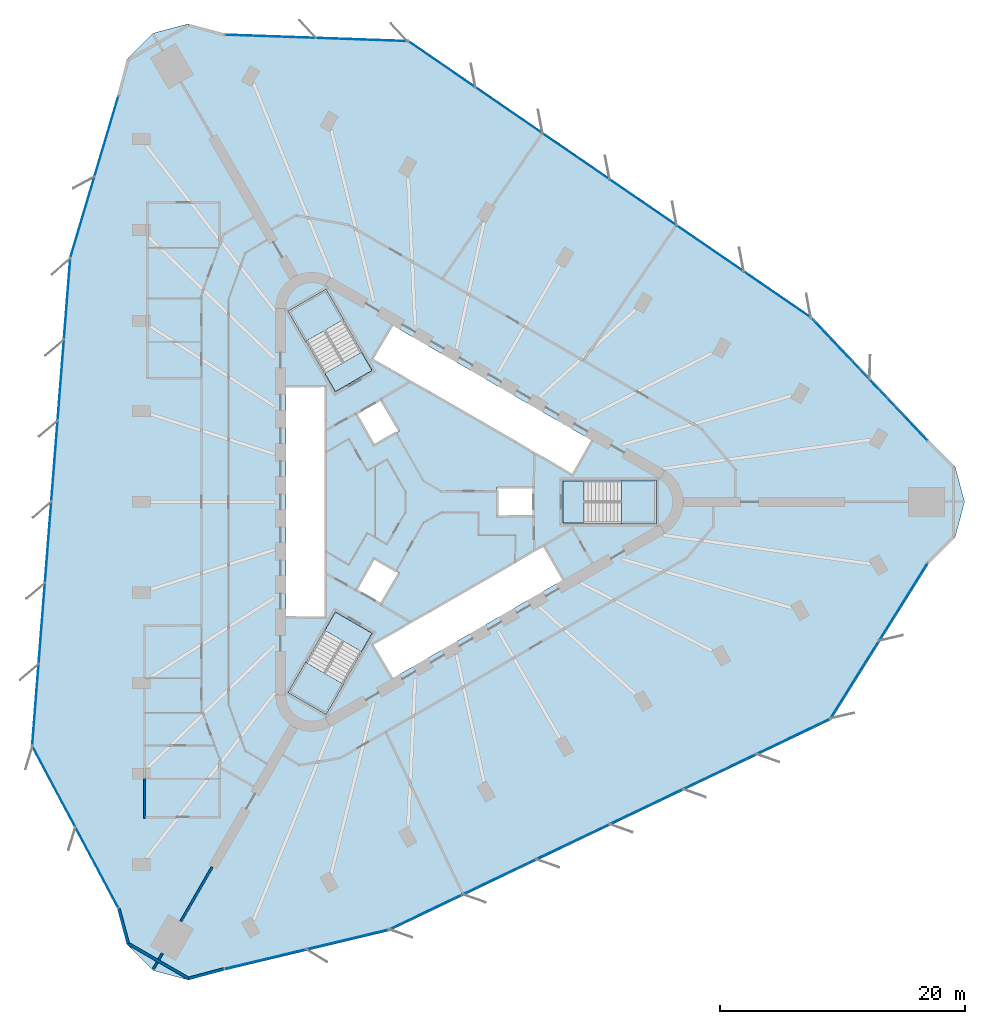
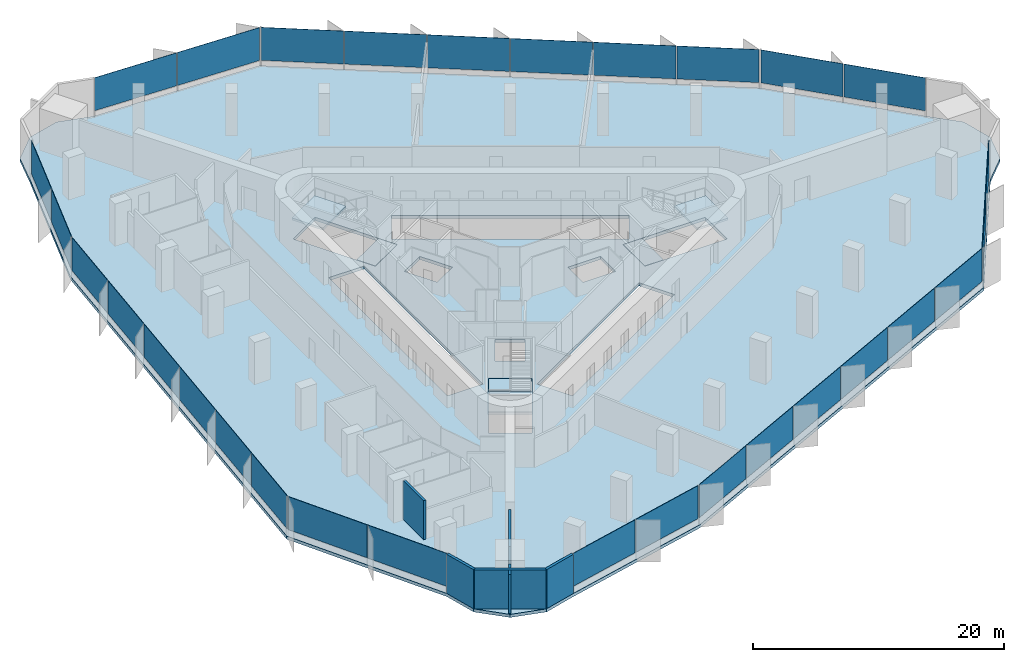
# One storey, part 8 of 15: 30 plates, 7 slabs, 7 walls, 12 elements without a shape of their own.
"""IFC4 building model written with IfcOpenShell, lengths in metres."""

from ifc_helpers import new_model, si_unit, direction, frame, frame_2d, origin, origin_2d, place, context, subcontext, project, spatial, polyline, rectangle, outline, extrude, material, layer, layer_set, type_object, element, aggregate, save


model = new_model("IFC4")

# Units and contexts
model_context = context("Model", 3, precision=1e-05, world=origin(), true_north=direction((0.0, 1.0)))
body_context = subcontext(model_context, "Body", "Model", "MODEL_VIEW")
ifc_project = project(units=[si_unit("LENGTHUNIT", "METRE"), si_unit("AREAUNIT", "SQUARE_METRE"), si_unit("VOLUMEUNIT", "CUBIC_METRE"), si_unit("PLANEANGLEUNIT", "RADIAN"), si_unit("MASSUNIT", "GRAM", prefix="KILO")], contexts=[model_context])

# Site, building, storey
site_placement = place(None, origin())
site = spatial("IfcSite", under=ifc_project, at=site_placement, CompositionType="ELEMENT")
building_placement = place(site_placement, origin())
building = spatial("IfcBuilding", under=site, at=building_placement, Name="Tanit Gate Tower", CompositionType="ELEMENT")
storey_placement = place(building_placement, frame((0.0, 0.0, 102.89990234375)))
storey = spatial("IfcBuildingStorey", under=building, at=storey_placement, Name="L21", CompositionType="ELEMENT", Elevation=102.89990234375)

# Slab
ifc_material_1 = material(Name="Concrete C35/45", Category="concrete")
ifc_layer_1 = layer(ifc_material_1, 0.300048828125)
ifc_layer_set_1 = layer_set([ifc_layer_1], Name="FLOOR SLAB 300 C35/45")
slab_type_1 = type_object("IfcSlabType", Name="FLOOR SLAB 300 C35/45", PredefinedType="FLOOR", material=ifc_layer_set_1)
slab_1_placement = place(storey_placement, frame((0.0, 0.0, -0.2998046875)))
element("IfcSlab", 1, at=slab_1_placement, inside=storey, type_object=slab_type_1, Name="FLOOR SLAB L21", PredefinedType="FLOOR", context=body_context, shape_type="SweptSolid", body=[
    extrude(outline(polyline([(41.213134765625, 5.0361328125), (43.341552734375, 2.90771484375), (44.12060546875, 0.0), (43.341552734375, -2.90771484375), (41.213134765625, -5.0361328125), (33.24853515625, -17.77978515625), (-2.780517578125, -34.9921875), (-16.2451171875, -38.209716796875), (-19.15283203125, -38.98876953125), (-22.060302734375, -38.209716796875), (-24.188720703125, -36.081298828125), (-24.968017578125, -33.173583984375), (-32.02197265625, -19.904296875), (-28.913818359375, 19.904296875), (-24.968017578125, 33.173583984375), (-24.188720703125, 36.081298828125), (-22.060302734375, 38.209716796875), (-19.15283203125, 38.98876953125), (-16.2451171875, 38.209716796875), (-1.2265625, 37.683837890625), (31.694580078125, 15.088134765625), (41.213134765625, 5.0361328125)]), holes=[polyline([(11.3701171875, 1.72998046875), (18.929931640625, 1.72998046875), (18.929931640625, -1.72998046875), (11.3701171875, -1.72998046875), (11.3701171875, 1.72998046875)]), polyline([(-4.208984375, 11.60986328125), (-2.583984375, 14.424560546875), (13.783935546875, 4.974609375), (12.158935546875, 2.159912109375), (-4.208984375, 11.60986328125)]), polyline([(-4.208984375, -11.60986328125), (9.82080078125, -3.510009765625), (11.44580078125, -6.324462890625), (-2.583984375, -14.424560546875), (-4.208984375, -11.60986328125)]), polyline([(9.0, 1.199951171875), (9.0, -1.199951171875), (6.0, -1.199951171875), (6.0, 1.199951171875), (9.0, 1.199951171875)]), polyline([(-5.539306640625, 7.194091796875), (-3.460693359375, 8.394287109375), (-1.960693359375, 5.796142578125), (-4.039306640625, 4.59619140625), (-5.539306640625, 7.194091796875)]), polyline([(-1.960693359375, -5.796142578125), (-3.460693359375, -8.394287109375), (-5.539306640625, -7.194091796875), (-4.039306640625, -4.59619140625), (-1.960693359375, -5.796142578125)]), polyline([(-10.963134765625, 15.52880859375), (-7.966796875, 17.2587890625), (-4.186767578125, 10.711669921875), (-7.18310546875, 8.981689453125), (-10.963134765625, 15.52880859375)]), polyline([(-4.186767578125, -10.711669921875), (-7.966796875, -17.2587890625), (-10.963134765625, -15.52880859375), (-7.18310546875, -8.981689453125), (-4.186767578125, -10.711669921875)]), polyline([(-11.199951171875, -9.449951171875), (-11.199951171875, 9.449951171875), (-7.949951171875, 9.449951171875), (-7.949951171875, -9.449951171875), (-11.199951171875, -9.449951171875)])]), origin(), (0.0, 0.0, 1.0), 0.2998046875),
])

# Curtain wall, plates
ifc_material_2 = material(Name="Aluminium bronze anodised and glass", Category="aluminium")
curtain_wall_type = type_object("IfcCurtainWallType", Name="Curtain wall typical low", PredefinedType="NOTDEFINED", material=ifc_material_2)
curtain_wall_1_placement = place(storey_placement, origin())
curtain_wall_1 = element("IfcCurtainWall", 2, at=curtain_wall_1_placement, inside=storey, type_object=curtain_wall_type, Name="Curtain wall L21 NE1", PredefinedType="NOTDEFINED")
ifc_material_3 = material(Name="Glass tinted", Category="glass")
ifc_layer_2 = layer(ifc_material_3, 0.031982421875)
ifc_layer_set_2 = layer_set([ifc_layer_2], Name="Glass panel 32 typical low")
plate_type = type_object("IfcPlateType", Name="Glass panel 32 typical low", PredefinedType="CURTAIN_PANEL", material=ifc_layer_set_2)
plate_1_placement = place(storey_placement, frame((38.735595703125, 7.477783203125, 0.60009765625), z_axis=(0.0, 0.0, 1.0), x_axis=(-0.687581275541, 0.726107422855, 0.0)))
plate_1 = element("IfcPlate", 3, at=plate_1_placement, type_object=plate_type, Name="Glass panel L21 NE1.1", PredefinedType="CURTAIN_PANEL", context=body_context, shape_type="SweptSolid", body=[
    extrude(rectangle(XDim=6.79638671875, YDim=0.031982421875, at=origin_2d()), origin(), (0.0, 0.0, 1.0), 3.199951171875),
])
plate_2_placement = place(storey_placement, frame((34.007568359375, 12.470947265625, 0.60009765625), z_axis=(0.0, 0.0, 1.0), x_axis=(-0.687581275541, 0.726107422855, 0.0)))
plate_2 = element("IfcPlate", 4, at=plate_2_placement, type_object=plate_type, Name="Glass panel L21 NE1.2", PredefinedType="CURTAIN_PANEL", context=body_context, shape_type="SweptSolid", body=[
    extrude(rectangle(XDim=6.79638671875, YDim=0.031982421875, at=origin_2d()), origin(), (0.0, 0.0, 1.0), 3.199951171875),
])
aggregate(curtain_wall_1, [plate_1, plate_2])

curtain_wall_2_placement = place(storey_placement, origin())
curtain_wall_2 = element("IfcCurtainWall", 5, at=curtain_wall_2_placement, inside=storey, type_object=curtain_wall_type, Name="Curtain wall L21 NE2", PredefinedType="NOTDEFINED")
plate_3_placement = place(storey_placement, frame((28.848388671875, 16.89599609375, 0.60009765625), z_axis=(0.0, 0.0, 1.0), x_axis=(-0.824478578624, 0.56589316429, 0.0)))
plate_3 = element("IfcPlate", 6, at=plate_3_placement, type_object=plate_type, Name="Glass panel L21 NE2.1", PredefinedType="CURTAIN_PANEL", context=body_context, shape_type="SweptSolid", body=[
    extrude(rectangle(XDim=6.5537109375, YDim=0.031982421875, at=origin_2d()), origin(), (0.0, 0.0, 1.0), 3.199951171875),
])
plate_4_placement = place(storey_placement, frame((23.379150390625, 20.64990234375, 0.60009765625), z_axis=(0.0, 0.0, 1.0), x_axis=(-0.824478578624, 0.56589316429, 0.0)))
plate_4 = element("IfcPlate", 7, at=plate_4_placement, type_object=plate_type, Name="Glass panel L21 NE2.2", PredefinedType="CURTAIN_PANEL", context=body_context, shape_type="SweptSolid", body=[
    extrude(rectangle(XDim=6.5537109375, YDim=0.031982421875, at=origin_2d()), origin(), (0.0, 0.0, 1.0), 3.199951171875),
])
plate_5_placement = place(storey_placement, frame((17.909912109375, 24.40380859375, 0.60009765625), z_axis=(0.0, 0.0, 1.0), x_axis=(-0.824478578624, 0.56589316429, 0.0)))
plate_5 = element("IfcPlate", 8, at=plate_5_placement, type_object=plate_type, Name="Glass panel L21 NE2.3", PredefinedType="CURTAIN_PANEL", context=body_context, shape_type="SweptSolid", body=[
    extrude(rectangle(XDim=6.5537109375, YDim=0.031982421875, at=origin_2d()), origin(), (0.0, 0.0, 1.0), 3.199951171875),
])
plate_6_placement = place(storey_placement, frame((12.440673828125, 28.15771484375, 0.60009765625), z_axis=(0.0, 0.0, 1.0), x_axis=(-0.824478578624, 0.56589316429, 0.0)))
plate_6 = element("IfcPlate", 9, at=plate_6_placement, type_object=plate_type, Name="Glass panel L21 NE2.4", PredefinedType="CURTAIN_PANEL", context=body_context, shape_type="SweptSolid", body=[
    extrude(rectangle(XDim=6.5537109375, YDim=0.031982421875, at=origin_2d()), origin(), (0.0, 0.0, 1.0), 3.199951171875),
])
plate_7_placement = place(storey_placement, frame((6.97119140625, 31.91162109375, 0.60009765625), z_axis=(0.0, 0.0, 1.0), x_axis=(-0.824478578624, 0.56589316429, 0.0)))
plate_7 = element("IfcPlate", 10, at=plate_7_placement, type_object=plate_type, Name="Glass panel L21 NE2.5", PredefinedType="CURTAIN_PANEL", context=body_context, shape_type="SweptSolid", body=[
    extrude(rectangle(XDim=6.5537109375, YDim=0.031982421875, at=origin_2d()), origin(), (0.0, 0.0, 1.0), 3.199951171875),
])
plate_8_placement = place(storey_placement, frame((1.501953125, 35.66552734375, 0.60009765625), z_axis=(0.0, 0.0, 1.0), x_axis=(-0.824478578624, 0.56589316429, 0.0)))
plate_8 = element("IfcPlate", 11, at=plate_8_placement, type_object=plate_type, Name="Glass panel L21 NE2.6", PredefinedType="CURTAIN_PANEL", context=body_context, shape_type="SweptSolid", body=[
    extrude(rectangle(XDim=6.5537109375, YDim=0.031982421875, at=origin_2d()), origin(), (0.0, 0.0, 1.0), 3.199951171875),
])
aggregate(curtain_wall_2, [plate_3, plate_4, plate_5, plate_6, plate_7, plate_8])

curtain_wall_3_placement = place(storey_placement, origin())
curtain_wall_3 = element("IfcCurtainWall", 12, at=curtain_wall_3_placement, inside=storey, type_object=curtain_wall_type, Name="Curtain wall L21 NE3", PredefinedType="NOTDEFINED")
plate_9_placement = place(storey_placement, frame((-5.034912109375, 37.697265625, 0.60009765625), z_axis=(0.0, 0.0, 1.0), x_axis=(-0.999387824997, 0.034985357634, 0.0)))
plate_9 = element("IfcPlate", 13, at=plate_9_placement, type_object=plate_type, Name="Glass panel L21 NE3.1", PredefinedType="CURTAIN_PANEL", context=body_context, shape_type="SweptSolid", body=[
    extrude(rectangle(XDim=7.38330078125, YDim=0.031982421875, at=origin_2d()), origin(), (0.0, 0.0, 1.0), 3.199951171875),
])
plate_10_placement = place(storey_placement, frame((-12.49365234375, 37.958251953125, 0.60009765625), z_axis=(0.0, 0.0, 1.0), x_axis=(-0.999387824997, 0.034985357634, 0.0)))
plate_10 = element("IfcPlate", 14, at=plate_10_placement, type_object=plate_type, Name="Glass panel L21 NE3.2", PredefinedType="CURTAIN_PANEL", context=body_context, shape_type="SweptSolid", body=[
    extrude(rectangle(XDim=7.38330078125, YDim=0.031982421875, at=origin_2d()), origin(), (0.0, 0.0, 1.0), 3.199951171875),
])
aggregate(curtain_wall_3, [plate_9, plate_10])

curtain_wall_4_placement = place(storey_placement, origin())
curtain_wall_4 = element("IfcCurtainWall", 15, at=curtain_wall_4_placement, inside=storey, type_object=curtain_wall_type, Name="Curtain wall L21 W1", PredefinedType="NOTDEFINED")
plate_11_placement = place(storey_placement, frame((-25.84375, 29.80712890625, 0.60009765625), z_axis=(0.0, 0.0, 1.0), x_axis=(-0.285036836298, -0.958516563213, 0.0)))
plate_11 = element("IfcPlate", 16, at=plate_11_placement, type_object=plate_type, Name="Glass panel L21 W1.1", PredefinedType="CURTAIN_PANEL", context=body_context, shape_type="SweptSolid", body=[
    extrude(rectangle(XDim=6.79638671875, YDim=0.031982421875, at=origin_2d()), origin(), (0.0, 0.0, 1.0), 3.199951171875),
])
plate_12_placement = place(storey_placement, frame((-27.803955078125, 23.216064453125, 0.60009765625), z_axis=(0.0, 0.0, 1.0), x_axis=(-0.285036836298, -0.958516563213, 0.0)))
plate_12 = element("IfcPlate", 17, at=plate_12_placement, type_object=plate_type, Name="Glass panel L21 W1.2", PredefinedType="CURTAIN_PANEL", context=body_context, shape_type="SweptSolid", body=[
    extrude(rectangle(XDim=6.79638671875, YDim=0.031982421875, at=origin_2d()), origin(), (0.0, 0.0, 1.0), 3.199951171875),
])
aggregate(curtain_wall_4, [plate_11, plate_12])

curtain_wall_5_placement = place(storey_placement, origin())
curtain_wall_5 = element("IfcCurtainWall", 18, at=curtain_wall_5_placement, inside=storey, type_object=curtain_wall_type, Name="Curtain wall L21 W2", PredefinedType="NOTDEFINED")
plate_13_placement = place(storey_placement, frame((-29.056640625, 16.53564453125, 0.60009765625), z_axis=(0.0, 0.0, 1.0), x_axis=(-0.077838566791, -0.996965976109, 0.0)))
plate_13 = element("IfcPlate", 19, at=plate_13_placement, type_object=plate_type, Name="Glass panel L21 W2.1", PredefinedType="CURTAIN_PANEL", context=body_context, shape_type="SweptSolid", body=[
    extrude(rectangle(XDim=6.5537109375, YDim=0.031982421875, at=origin_2d()), origin(), (0.0, 0.0, 1.0), 3.199951171875),
])
plate_14_placement = place(storey_placement, frame((-29.572998046875, 9.922119140625, 0.60009765625), z_axis=(0.0, 0.0, 1.0), x_axis=(-0.077838566791, -0.996965976109, 0.0)))
plate_14 = element("IfcPlate", 20, at=plate_14_placement, type_object=plate_type, Name="Glass panel L21 W2.2", PredefinedType="CURTAIN_PANEL", context=body_context, shape_type="SweptSolid", body=[
    extrude(rectangle(XDim=6.5537109375, YDim=0.031982421875, at=origin_2d()), origin(), (0.0, 0.0, 1.0), 3.199951171875),
])
plate_15_placement = place(storey_placement, frame((-30.08935546875, 3.30859375, 0.60009765625), z_axis=(0.0, 0.0, 1.0), x_axis=(-0.077838566791, -0.996965976109, 0.0)))
plate_15 = element("IfcPlate", 21, at=plate_15_placement, type_object=plate_type, Name="Glass panel L21 W2.3", PredefinedType="CURTAIN_PANEL", context=body_context, shape_type="SweptSolid", body=[
    extrude(rectangle(XDim=6.5537109375, YDim=0.031982421875, at=origin_2d()), origin(), (0.0, 0.0, 1.0), 3.199951171875),
])
plate_16_placement = place(storey_placement, frame((-30.605712890625, -3.304931640625, 0.60009765625), z_axis=(0.0, 0.0, 1.0), x_axis=(-0.077838566791, -0.996965976109, 0.0)))
plate_16 = element("IfcPlate", 22, at=plate_16_placement, type_object=plate_type, Name="Glass panel L21 W2.4", PredefinedType="CURTAIN_PANEL", context=body_context, shape_type="SweptSolid", body=[
    extrude(rectangle(XDim=6.5537109375, YDim=0.031982421875, at=origin_2d()), origin(), (0.0, 0.0, 1.0), 3.199951171875),
])
plate_17_placement = place(storey_placement, frame((-31.1220703125, -9.91845703125, 0.60009765625), z_axis=(0.0, 0.0, 1.0), x_axis=(-0.077838566791, -0.996965976109, 0.0)))
plate_17 = element("IfcPlate", 23, at=plate_17_placement, type_object=plate_type, Name="Glass panel L21 W2.5", PredefinedType="CURTAIN_PANEL", context=body_context, shape_type="SweptSolid", body=[
    extrude(rectangle(XDim=6.5537109375, YDim=0.031982421875, at=origin_2d()), origin(), (0.0, 0.0, 1.0), 3.199951171875),
])
plate_18_placement = place(storey_placement, frame((-31.63818359375, -16.531982421875, 0.60009765625), z_axis=(0.0, 0.0, 1.0), x_axis=(-0.077838566791, -0.996965976109, 0.0)))
plate_18 = element("IfcPlate", 24, at=plate_18_placement, type_object=plate_type, Name="Glass panel L21 W2.6", PredefinedType="CURTAIN_PANEL", context=body_context, shape_type="SweptSolid", body=[
    extrude(rectangle(XDim=6.5537109375, YDim=0.031982421875, at=origin_2d()), origin(), (0.0, 0.0, 1.0), 3.199951171875),
])
aggregate(curtain_wall_5, [plate_13, plate_14, plate_15, plate_16, plate_17, plate_18])

curtain_wall_6_placement = place(storey_placement, origin())
curtain_wall_6 = element("IfcCurtainWall", 25, at=curtain_wall_6_placement, inside=storey, type_object=curtain_wall_type, Name="Curtain wall L21 W3", PredefinedType="NOTDEFINED")
plate_19_placement = place(storey_placement, frame((-30.129150390625, -23.208984375, 0.60009765625), z_axis=(0.0, 0.0, 1.0), x_axis=(0.469395704027, -0.882987923497, 0.0)))
plate_19 = element("IfcPlate", 26, at=plate_19_placement, type_object=plate_type, Name="Glass panel L21 W3.1", PredefinedType="CURTAIN_PANEL", context=body_context, shape_type="SweptSolid", body=[
    extrude(rectangle(XDim=7.38330078125, YDim=0.031982421875, at=origin_2d()), origin(), (0.0, 0.0, 1.0), 3.199951171875),
])
plate_20_placement = place(storey_placement, frame((-26.6259765625, -29.799072265625, 0.60009765625), z_axis=(0.0, 0.0, 1.0), x_axis=(0.469395704027, -0.882987923497, 0.0)))
plate_20 = element("IfcPlate", 27, at=plate_20_placement, type_object=plate_type, Name="Glass panel L21 W3.2", PredefinedType="CURTAIN_PANEL", context=body_context, shape_type="SweptSolid", body=[
    extrude(rectangle(XDim=7.38330078125, YDim=0.031982421875, at=origin_2d()), origin(), (0.0, 0.0, 1.0), 3.199951171875),
])
aggregate(curtain_wall_6, [plate_19, plate_20])

curtain_wall_7_placement = place(storey_placement, origin())
curtain_wall_7 = element("IfcCurtainWall", 28, at=curtain_wall_7_placement, inside=storey, type_object=curtain_wall_type, Name="Curtain wall L21 SE1", PredefinedType="NOTDEFINED")
plate_21_placement = place(storey_placement, frame((-12.891845703125, -37.284912109375, 0.60009765625), z_axis=(0.0, 0.0, 1.0), x_axis=(0.972618111839, 0.232409140358, 0.0)))
plate_21 = element("IfcPlate", 29, at=plate_21_placement, type_object=plate_type, Name="Glass panel L21 SE1.1", PredefinedType="CURTAIN_PANEL", context=body_context, shape_type="SweptSolid", body=[
    extrude(rectangle(XDim=6.79638671875, YDim=0.031982421875, at=origin_2d()), origin(), (0.0, 0.0, 1.0), 3.199951171875),
])
plate_22_placement = place(storey_placement, frame((-6.20361328125, -35.686767578125, 0.60009765625), z_axis=(0.0, 0.0, 1.0), x_axis=(0.972618111839, 0.232409140358, 0.0)))
plate_22 = element("IfcPlate", 30, at=plate_22_placement, type_object=plate_type, Name="Glass panel L21 SE1.2", PredefinedType="CURTAIN_PANEL", context=body_context, shape_type="SweptSolid", body=[
    extrude(rectangle(XDim=6.79638671875, YDim=0.031982421875, at=origin_2d()), origin(), (0.0, 0.0, 1.0), 3.199951171875),
])
aggregate(curtain_wall_7, [plate_21, plate_22])

curtain_wall_8_placement = place(storey_placement, origin())
curtain_wall_8 = element("IfcCurtainWall", 31, at=curtain_wall_8_placement, inside=storey, type_object=curtain_wall_type, Name="Curtain wall L21 SE2", PredefinedType="NOTDEFINED")
plate_23_placement = place(storey_placement, frame((0.2080078125, -33.431396484375, 0.60009765625), z_axis=(0.0, 0.0, 1.0), x_axis=(0.902317145415, 0.431072811819, 0.0)))
plate_23 = element("IfcPlate", 32, at=plate_23_placement, type_object=plate_type, Name="Glass panel L21 SE2.1", PredefinedType="CURTAIN_PANEL", context=body_context, shape_type="SweptSolid", body=[
    extrude(rectangle(XDim=6.5537109375, YDim=0.031982421875, at=origin_2d()), origin(), (0.0, 0.0, 1.0), 3.199951171875),
])
plate_24_placement = place(storey_placement, frame((6.19384765625, -30.57177734375, 0.60009765625), z_axis=(0.0, 0.0, 1.0), x_axis=(0.902317145415, 0.431072811819, 0.0)))
plate_24 = element("IfcPlate", 33, at=plate_24_placement, type_object=plate_type, Name="Glass panel L21 SE2.2", PredefinedType="CURTAIN_PANEL", context=body_context, shape_type="SweptSolid", body=[
    extrude(rectangle(XDim=6.5537109375, YDim=0.031982421875, at=origin_2d()), origin(), (0.0, 0.0, 1.0), 3.199951171875),
])
plate_25_placement = place(storey_placement, frame((12.179443359375, -27.71240234375, 0.60009765625), z_axis=(0.0, 0.0, 1.0), x_axis=(0.902317145415, 0.431072811819, 0.0)))
plate_25 = element("IfcPlate", 34, at=plate_25_placement, type_object=plate_type, Name="Glass panel L21 SE2.3", PredefinedType="CURTAIN_PANEL", context=body_context, shape_type="SweptSolid", body=[
    extrude(rectangle(XDim=6.5537109375, YDim=0.031982421875, at=origin_2d()), origin(), (0.0, 0.0, 1.0), 3.199951171875),
])
plate_26_placement = place(storey_placement, frame((18.1650390625, -24.852783203125, 0.60009765625), z_axis=(0.0, 0.0, 1.0), x_axis=(0.902317145415, 0.431072811819, 0.0)))
plate_26 = element("IfcPlate", 35, at=plate_26_placement, type_object=plate_type, Name="Glass panel L21 SE2.4", PredefinedType="CURTAIN_PANEL", context=body_context, shape_type="SweptSolid", body=[
    extrude(rectangle(XDim=6.5537109375, YDim=0.031982421875, at=origin_2d()), origin(), (0.0, 0.0, 1.0), 3.199951171875),
])
plate_27_placement = place(storey_placement, frame((24.150634765625, -21.9931640625, 0.60009765625), z_axis=(0.0, 0.0, 1.0), x_axis=(0.902317145415, 0.431072811819, 0.0)))
plate_27 = element("IfcPlate", 36, at=plate_27_placement, type_object=plate_type, Name="Glass panel L21 SE2.5", PredefinedType="CURTAIN_PANEL", context=body_context, shape_type="SweptSolid", body=[
    extrude(rectangle(XDim=6.5537109375, YDim=0.031982421875, at=origin_2d()), origin(), (0.0, 0.0, 1.0), 3.199951171875),
])
plate_28_placement = place(storey_placement, frame((30.13623046875, -19.133544921875, 0.60009765625), z_axis=(0.0, 0.0, 1.0), x_axis=(0.902317145415, 0.431072811819, 0.0)))
plate_28 = element("IfcPlate", 37, at=plate_28_placement, type_object=plate_type, Name="Glass panel L21 SE2.6", PredefinedType="CURTAIN_PANEL", context=body_context, shape_type="SweptSolid", body=[
    extrude(rectangle(XDim=6.5537109375, YDim=0.031982421875, at=origin_2d()), origin(), (0.0, 0.0, 1.0), 3.199951171875),
])
aggregate(curtain_wall_8, [plate_23, plate_24, plate_25, plate_26, plate_27, plate_28])

curtain_wall_9_placement = place(storey_placement, origin())
curtain_wall_9 = element("IfcCurtainWall", 38, at=curtain_wall_9_placement, inside=storey, type_object=curtain_wall_type, Name="Curtain wall L21 SE3", PredefinedType="NOTDEFINED")
plate_29_placement = place(storey_placement, frame((35.164306640625, -14.488037109375, 0.60009765625), z_axis=(0.0, 0.0, 1.0), x_axis=(0.529992120969, 0.848002565863, 0.0)))
plate_29 = element("IfcPlate", 39, at=plate_29_placement, type_object=plate_type, Name="Glass panel L21 SE3.1", PredefinedType="CURTAIN_PANEL", context=body_context, shape_type="SweptSolid", body=[
    extrude(rectangle(XDim=7.38330078125, YDim=0.031982421875, at=origin_2d()), origin(), (0.0, 0.0, 1.0), 3.199951171875),
])
plate_30_placement = place(storey_placement, frame((39.11962890625, -8.1591796875, 0.60009765625), z_axis=(0.0, 0.0, 1.0), x_axis=(0.529992120969, 0.848002565863, 0.0)))
plate_30 = element("IfcPlate", 40, at=plate_30_placement, type_object=plate_type, Name="Glass panel L21 SE3.2", PredefinedType="CURTAIN_PANEL", context=body_context, shape_type="SweptSolid", body=[
    extrude(rectangle(XDim=7.38330078125, YDim=0.031982421875, at=origin_2d()), origin(), (0.0, 0.0, 1.0), 3.199951171875),
])
aggregate(curtain_wall_9, [plate_29, plate_30])

# Stair, slab
ifc_material_4 = material(Name="Concrete C40/50", Category="concrete")
stair_type = type_object("IfcStairType", Name="INT-STAIR-EXIT", PredefinedType="HALF_TURN_STAIR", material=ifc_material_4)
stair_1_placement = place(storey_placement, origin())
stair_1 = element("IfcStair", 41, at=stair_1_placement, inside=storey, type_object=stair_type, Name="L21 STAIR S1", PredefinedType="HALF_TURN_STAIR")
ifc_material_5 = material(Name="Concrete C40/50", Category="concrete")
ifc_layer_3 = layer(ifc_material_5, 0.199951171875)
ifc_layer_set_3 = layer_set([ifc_layer_3], Name="INT-STAIR-LANDING")
slab_type_2 = type_object("IfcSlabType", Name="INT-STAIR-LANDING", PredefinedType="LANDING", material=ifc_layer_set_3)
slab_2_placement = place(storey_placement, frame((0.0, 0.0, 1.85009765625)))
slab_2 = element("IfcSlab", 42, at=slab_2_placement, type_object=slab_type_2, Name="S1 landing 1", PredefinedType="LANDING", context=body_context, shape_type="SweptSolid", body=[
    extrude(outline(polyline([(16.135986328125, -1.800048828125), (19.0, -1.800048828125), (19.0, 1.800048828125), (16.135986328125, 1.800048828125), (16.135986328125, -1.800048828125)])), origin(), (0.0, 0.0, 1.0), 0.199951171875),
])
aggregate(stair_1, [slab_2])

# Slab
slab_3_placement = place(storey_placement, frame((0.0, 0.0, -0.199951171875)))
element("IfcSlab", 43, at=slab_3_placement, inside=storey, type_object=slab_type_2, Name="S1 floor landing", PredefinedType="LANDING", context=body_context, shape_type="SweptSolid", body=[
    extrude(outline(polyline([(11.3798828125, -1.719970703125), (13.10498046875, -1.719970703125), (13.10498046875, 1.719970703125), (11.3798828125, 1.719970703125), (11.3798828125, -1.719970703125)])), origin(), (0.0, 0.0, 1.0), 0.199951171875),
])

# Stair, slab
stair_2_placement = place(storey_placement, origin())
stair_2 = element("IfcStair", 44, at=stair_2_placement, inside=storey, type_object=stair_type, Name="L21 STAIR S2", PredefinedType="HALF_TURN_STAIR")
slab_4_placement = place(storey_placement, frame((0.0, 0.0, 1.85009765625)))
slab_4 = element("IfcSlab", 45, at=slab_4_placement, type_object=slab_type_2, Name="S2 landing 1", PredefinedType="LANDING", context=body_context, shape_type="SweptSolid", body=[
    extrude(outline(polyline([(-6.5078125, 14.871826171875), (-7.941162109375, 17.3544921875), (-11.058837890625, 15.554443359375), (-9.62548828125, 13.07177734375), (-6.5078125, 14.871826171875)])), origin(), (0.0, 0.0, 1.0), 0.199951171875),
])
aggregate(stair_2, [slab_4])

# Slab
slab_5_placement = place(storey_placement, frame((0.0, 0.0, -0.199951171875)))
element("IfcSlab", 46, at=slab_5_placement, inside=storey, type_object=slab_type_2, Name="S2 floor landing", PredefinedType="LANDING", context=body_context, shape_type="SweptSolid", body=[
    extrude(outline(polyline([(-4.200439453125, 10.71533203125), (-5.0625, 12.20849609375), (-8.04150390625, 10.48828125), (-7.179443359375, 8.995361328125), (-4.200439453125, 10.71533203125)])), origin(), (0.0, 0.0, 1.0), 0.199951171875),
])

# Stair, slab
stair_3_placement = place(storey_placement, origin())
stair_3 = element("IfcStair", 47, at=stair_3_placement, inside=storey, type_object=stair_type, Name="L21 STAIR S3", PredefinedType="HALF_TURN_STAIR")
slab_6_placement = place(storey_placement, frame((0.0, 0.0, 1.85009765625)))
slab_6 = element("IfcSlab", 48, at=slab_6_placement, type_object=slab_type_2, Name="S3 landing 1", PredefinedType="LANDING", context=body_context, shape_type="SweptSolid", body=[
    extrude(outline(polyline([(-9.626953125, -13.07421875), (-11.058837890625, -15.554443359375), (-7.941162109375, -17.3544921875), (-6.509033203125, -14.874267578125), (-9.626953125, -13.07421875)])), origin(), (0.0, 0.0, 1.0), 0.199951171875),
])
aggregate(stair_3, [slab_6])

# Slab
slab_7_placement = place(storey_placement, frame((0.0, 0.0, -0.199951171875)))
element("IfcSlab", 49, at=slab_7_placement, inside=storey, type_object=slab_type_2, Name="S3 floor landing", PredefinedType="LANDING", context=body_context, shape_type="SweptSolid", body=[
    extrude(outline(polyline([(-7.179443359375, -8.995361328125), (-8.0419921875, -10.4892578125), (-5.06298828125, -12.209228515625), (-4.200439453125, -10.71533203125), (-7.179443359375, -8.995361328125)])), origin(), (0.0, 0.0, 1.0), 0.199951171875),
])

# Walls
ifc_material_6 = material(Name="Concrete C30/37 with bronze anodised aluminium cladding", Category="concrete")
ifc_layer_4 = layer(ifc_material_6, 0.239990234375)
ifc_layer_set_4 = layer_set([ifc_layer_4], Name="Facade wall bronze clad 240")
wall_type_1 = type_object("IfcWallType", Name="Facade wall bronze clad 240", PredefinedType="SOLIDWALL", material=ifc_layer_set_4)
wall_1_placement = place(storey_placement, frame((-24.85546875, -33.12939453125, 0.0), z_axis=(0.0, 0.0, 1.0), x_axis=(0.258785036271, -0.965934938286, 0.0)))
element("IfcWall", 50, at=wall_1_placement, inside=storey, type_object=wall_type_1, Name="Bronze-clad facade wall L21 SW.arc1", PredefinedType="SOLIDWALL", context=body_context, shape_type="SweptSolid", body=[
    extrude(rectangle(XDim=2.991455078125, YDim=0.239990234375, at=frame_2d((1.49560546875, 0.0))), origin(), (0.0, 0.0, 1.0), 3.800048828125),
])
wall_2_placement = place(storey_placement, frame((-24.081298828125, -36.01904296875, 0.0), z_axis=(0.0, 0.0, 1.0), x_axis=(0.866024844342, -0.500000968981, 0.0)))
element("IfcWall", 51, at=wall_2_placement, inside=storey, type_object=wall_type_1, Name="Bronze-clad facade wall L21 SW.arc2", PredefinedType="SOLIDWALL", context=body_context, shape_type="SweptSolid", body=[
    extrude(rectangle(XDim=5.69091796875, YDim=0.239990234375, at=frame_2d((2.845458984375, 0.0))), origin(), (0.0, 0.0, 1.0), 3.800048828125),
])
wall_3_placement = place(storey_placement, frame((-19.15283203125, -38.864501953125, 0.0), z_axis=(0.0, 0.0, 1.0), x_axis=(0.965922815746, 0.258830280341, 0.0)))
element("IfcWall", 52, at=wall_3_placement, inside=storey, type_object=wall_type_1, Name="Bronze-clad facade wall L21 SW.arc3", PredefinedType="SOLIDWALL", context=body_context, shape_type="SweptSolid", body=[
    extrude(rectangle(XDim=2.979736328125, YDim=0.239990234375, at=frame_2d((1.48974609375, 0.0))), origin(), (0.0, 0.0, 1.0), 3.800048828125),
])
ifc_material_7 = material(Name="Fire-rated gypsum board partition")
ifc_layer_5 = layer(ifc_material_7, 0.199951171875)
ifc_layer_set_5 = layer_set([ifc_layer_5], Name="INT-WALL-COMPARTMENT")
wall_type_2 = type_object("IfcWallType", Name="INT-WALL-COMPARTMENT", PredefinedType="PARTITIONING", material=ifc_layer_set_5)
wall_4_placement = place(storey_placement, frame((-22.020263671875, -38.080078125, 0.0), z_axis=(0.0, 0.0, 1.0), x_axis=(0.499988999718, 0.866031754707, 0.0)))
element("IfcWall", 53, at=wall_4_placement, inside=storey, type_object=wall_type_2, Name="Wall Compartment W118", PredefinedType="PARTITIONING", context=body_context, shape_type="SweptSolid", body=[
    extrude(rectangle(XDim=0.63427734375, YDim=0.199951171875, at=frame_2d((0.317138671875, 0.0))), origin(), (0.0, 0.0, 1.0), 3.800048828125),
])
wall_5_placement = place(storey_placement, frame((-21.5830078125, -37.32275390625, 0.0), z_axis=(0.0, 0.0, 1.0), x_axis=(0.500078724409, 0.865979947454, 0.0)))
element("IfcWall", 54, at=wall_5_placement, inside=storey, type_object=wall_type_2, Name="Wall Compartment W118x1", PredefinedType="PARTITIONING", context=body_context, shape_type="SweptSolid", body=[
    extrude(rectangle(XDim=0.59326171875, YDim=0.199951171875, at=frame_2d((0.296630859375, 0.0))), origin(), (0.0, 0.0, 1.0), 3.800048828125),
])
wall_6_placement = place(storey_placement, frame((-19.786376953125, -34.2109375, 0.0), z_axis=(0.0, 0.0, 1.0), x_axis=(0.499998470576, 0.866026286796, 0.0)))
element("IfcWall", 55, at=wall_6_placement, inside=storey, type_object=wall_type_2, Name="Wall Compartment W119", PredefinedType="PARTITIONING", context=body_context, shape_type="SweptSolid", body=[
    extrude(rectangle(XDim=5.1298828125, YDim=0.199951171875, at=frame_2d((2.56494140625, 0.0))), origin(), (0.0, 0.0, 1.0), 3.3701171875),
])
wall_7_placement = place(storey_placement, frame((-22.75, -25.8125, 0.0), z_axis=(0.0, 0.0, 1.0), x_axis=(0.0, 1.0, 0.0)))
element("IfcWall", 56, at=wall_7_placement, inside=storey, type_object=wall_type_2, Name="Wall Compartment W133", PredefinedType="PARTITIONING", context=body_context, shape_type="SweptSolid", body=[
    extrude(rectangle(XDim=3.235107421875, YDim=0.199951171875, at=frame_2d((1.61767578125, 0.0))), origin(), (0.0, 0.0, 1.0), 3.800048828125),
])

save(model, "model.ifc")
